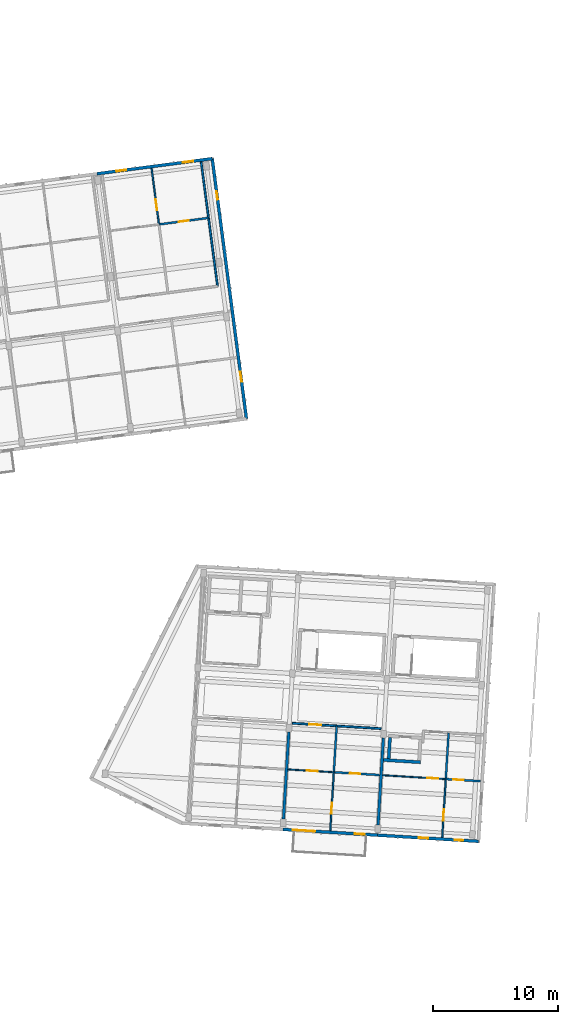
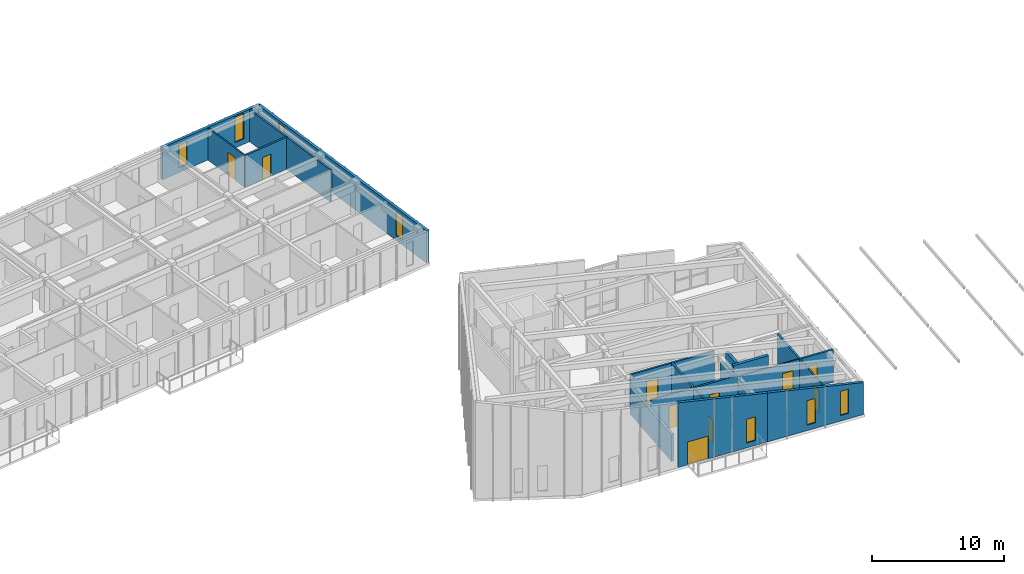
# One storey, part 22 of 45: 20 walls, 10 doors, 7 windows, 17 openings.
"""IFC4 building model written with IfcOpenShell, lengths in metres."""

from ifc_helpers import new_model, si_unit, direction, frame, frame_2d, origin, place, context, subcontext, project, spatial, polyline, rectangle, outline, extrude, material, layer, layer_set, type_object, element, fill, save


model = new_model("IFC4")

# Units and contexts
model_context = context("Model", 3, precision=1e-05, world=origin(), true_north=direction((0.0, 1.0)))
body_context = subcontext(model_context, "Body", "Model", "MODEL_VIEW")
ifc_project = project(units=[si_unit("LENGTHUNIT", "METRE"), si_unit("AREAUNIT", "SQUARE_METRE"), si_unit("VOLUMEUNIT", "CUBIC_METRE"), si_unit("PLANEANGLEUNIT", "RADIAN"), si_unit("MASSUNIT", "GRAM", prefix="KILO")], contexts=[model_context])

# Site, building, storey
site_placement = place(None, origin())
site = spatial("IfcSite", under=ifc_project, at=site_placement, CompositionType="ELEMENT")
building_placement = place(site_placement, origin())
building = spatial("IfcBuilding", under=site, at=building_placement, Name="Kestramere Prow Commons", CompositionType="ELEMENT")
storey_placement = place(building_placement, frame((0.0, 0.0, 31.14990234375)))
storey = spatial("IfcBuildingStorey", under=building, at=storey_placement, Name="L09", CompositionType="ELEMENT", Elevation=31.14990234375)

# Wall, openings, windows
ifc_material_1 = material(Name="Fluoropolymer Standing-Seam Zinc-Aluminium Cladding", Category="aluminium")
ifc_layer_1 = layer(ifc_material_1, 0.239990234375)
ifc_layer_set_1 = layer_set([ifc_layer_1], Name="Fluoropolymer Standing-Seam Zinc-Aluminium Cladding")
wall_type_1 = type_object("IfcWallType", Name="EW-SEAM-240", PredefinedType="SOLIDWALL", material=ifc_layer_set_1)
wall_1_placement = place(storey_placement, frame((52.14453125, 98.092529296875, 0.0), z_axis=(0.0, 0.0, 1.0), x_axis=(0.991442885224, 0.130541201693, 0.0)))
wall_1 = element("IfcWall", 1, at=wall_1_placement, inside=storey, type_object=wall_type_1, Name="Block A L09 North Standing-Seam Wall 6", PredefinedType="SOLIDWALL", context=body_context, shape_type="SweptSolid", body=[
    extrude(rectangle(XDim=9.324951171875, YDim=0.239990234375, at=frame_2d((4.66259765625, 0.0))), origin(), (0.0, 0.0, 1.0), 3.0),
])
opening_1_placement = place(wall_1_placement, frame((1.58203125, 0.0, 0.43994140625)))
opening_1 = element("IfcOpeningElement", 2, at=opening_1_placement, cuts=wall_1, Name="Opening WN-11", PredefinedType="OPENING", context=body_context, shape_type="SweptSolid", body=[
    extrude(rectangle(XDim=0.780029296875, YDim=2.199951171875, at=frame_2d((0.39013671875, 1.10009765625))), frame((0.0, 0.135009765625, 0.0), z_axis=(0.0, -1.0, 0.0), x_axis=(1.0, 0.0, 0.0)), (0.0, 0.0, 1.0), 0.27001953125),
])
opening_2_placement = place(wall_1_placement, frame((6.925537109375, 0.0, 0.5)))
opening_2 = element("IfcOpeningElement", 3, at=opening_2_placement, cuts=wall_1, Name="Opening WN-15", PredefinedType="OPENING", context=body_context, shape_type="SweptSolid", body=[
    extrude(rectangle(XDim=0.860107421875, YDim=2.360107421875, at=frame_2d((0.43017578125, 1.18017578125))), frame((0.0, 0.135009765625, 0.0), z_axis=(0.0, -1.0, 0.0), x_axis=(1.0, 0.0, 0.0)), (0.0, 0.0, 1.0), 0.27001953125),
])
ifc_material_2 = material(Name="Low-E Laminated Double Glazing", Category="glass")
window_type_1 = type_object("IfcWindowType", Name="WN-NAR-780A", PartitioningType="SINGLE_PANEL", PredefinedType="WINDOW", material=ifc_material_2)
window_1_placement = place(opening_1_placement, origin())
window_1 = element("IfcWindow", 4, at=window_1_placement, inside=storey, type_object=window_type_1, Name="WN-A-L09-N-5-0", OverallHeight=2.199951171875, OverallWidth=0.780029296875, PartitioningType="SINGLE_PANEL", PredefinedType="WINDOW", context=body_context, shape_type="SweptSolid", body=[
    extrude(rectangle(XDim=0.780029296875, YDim=2.199951171875, at=frame_2d((0.39013671875, 1.10009765625))), frame((0.0, 0.030029296875, 0.0), z_axis=(0.0, -1.0, 0.0), x_axis=(1.0, 0.0, 0.0)), (0.0, 0.0, 1.0), 0.06005859375),
])
fill(opening_1, window_1)
window_type_2 = type_object("IfcWindowType", Name="WN-NAR-860A", PartitioningType="DOUBLE_PANEL_VERTICAL", PredefinedType="WINDOW", material=ifc_material_2)
window_2_placement = place(opening_2_placement, origin())
window_2 = element("IfcWindow", 5, at=window_2_placement, inside=storey, type_object=window_type_2, Name="WN-A-L09-N-5-1", OverallHeight=2.360107421875, OverallWidth=0.860107421875, PartitioningType="SINGLE_PANEL", PredefinedType="WINDOW", context=body_context, shape_type="SweptSolid", body=[
    extrude(rectangle(XDim=0.860107421875, YDim=2.360107421875, at=frame_2d((0.43017578125, 1.18017578125))), frame((0.0, 0.030029296875, 0.0), z_axis=(0.0, -1.0, 0.0), x_axis=(1.0, 0.0, 0.0)), (0.0, 0.0, 1.0), 0.06005859375),
])
fill(opening_2, window_2)

wall_2_placement = place(storey_placement, frame((61.3896484375, 99.309814453125, 0.0), z_axis=(0.0, 0.0, 1.0), x_axis=(0.13052411616, -0.99144513469, 0.0)))
wall_2 = element("IfcWall", 6, at=wall_2_placement, inside=storey, type_object=wall_type_1, Name="Block A L09 EAV Facet Wall", PredefinedType="SOLIDWALL", context=body_context, shape_type="SweptSolid", body=[
    extrude(rectangle(XDim=21.05029296875, YDim=0.239990234375, at=frame_2d((10.525146484375, 0.0))), origin(), (0.0, 0.0, 1.0), 3.0),
])
opening_3_placement = place(wall_2_placement, frame((2.6298828125, 0.0, 0.52001953125)))
opening_3 = element("IfcOpeningElement", 7, at=opening_3_placement, cuts=wall_2, Name="Opening WN-06", PredefinedType="OPENING", context=body_context, shape_type="SweptSolid", body=[
    extrude(rectangle(XDim=0.679931640625, YDim=2.239990234375, at=frame_2d((0.33984375, 1.1201171875))), frame((0.0, 0.135009765625, 0.0), z_axis=(0.0, -1.0, 0.0), x_axis=(1.0, 0.0, 0.0)), (0.0, 0.0, 1.0), 0.27001953125),
])
opening_4_placement = place(wall_2_placement, frame((17.239990234375, 0.0, 0.449951171875)))
opening_4 = element("IfcOpeningElement", 8, at=opening_4_placement, cuts=wall_2, Name="Opening WN-13", PredefinedType="OPENING", context=body_context, shape_type="SweptSolid", body=[
    extrude(rectangle(XDim=0.820068359375, YDim=2.179931640625, at=frame_2d((0.41015625, 1.08984375))), frame((0.0, 0.135009765625, 0.0), z_axis=(0.0, -1.0, 0.0), x_axis=(1.0, 0.0, 0.0)), (0.0, 0.0, 1.0), 0.27001953125),
])
window_type_3 = type_object("IfcWindowType", Name="WN-NAR-680A", PartitioningType="SINGLE_PANEL", PredefinedType="WINDOW", material=ifc_material_2)
window_3_placement = place(opening_3_placement, origin())
window_3 = element("IfcWindow", 9, at=window_3_placement, inside=storey, type_object=window_type_3, Name="WN-A-L09-EAV-0", OverallHeight=2.239990234375, OverallWidth=0.679931640625, PartitioningType="SINGLE_PANEL", PredefinedType="WINDOW", context=body_context, shape_type="SweptSolid", body=[
    extrude(rectangle(XDim=0.679931640625, YDim=2.239990234375, at=frame_2d((0.33984375, 1.1201171875))), frame((0.0, 0.030029296875, 0.0), z_axis=(0.0, -1.0, 0.0), x_axis=(1.0, 0.0, 0.0)), (0.0, 0.0, 1.0), 0.06005859375),
])
fill(opening_3, window_3)
window_type_4 = type_object("IfcWindowType", Name="WN-NAR-820A", PartitioningType="DOUBLE_PANEL_VERTICAL", PredefinedType="WINDOW", material=ifc_material_2)
window_4_placement = place(opening_4_placement, origin())
window_4 = element("IfcWindow", 10, at=window_4_placement, inside=storey, type_object=window_type_4, Name="WN-A-L09-EAV-1", OverallHeight=2.179931640625, OverallWidth=0.820068359375, PartitioningType="SINGLE_PANEL", PredefinedType="WINDOW", context=body_context, shape_type="SweptSolid", body=[
    extrude(rectangle(XDim=0.820068359375, YDim=2.179931640625, at=frame_2d((0.41015625, 1.08984375))), frame((0.0, 0.030029296875, 0.0), z_axis=(0.0, -1.0, 0.0), x_axis=(1.0, 0.0, 0.0)), (0.0, 0.0, 1.0), 0.06005859375),
])
fill(opening_4, window_4)

# Wall, openings, door, window
wall_3_placement = place(storey_placement, frame((74.6396484375, 45.048095703125, 0.0), z_axis=(0.0, 0.0, 1.0), x_axis=(-0.998135669243, 0.061034300063, 0.0)))
wall_3 = element("IfcWall", 11, at=wall_3_placement, inside=storey, type_object=wall_type_1, Name="Block C L09 South Standing-Seam Wall 2", PredefinedType="SOLIDWALL", context=body_context, shape_type="SweptSolid", body=[
    extrude(outline(polyline([(0.0, 0.0), (7.60009765625, 0.0), (7.60009765625, 5.997802734375), (0.0, 4.535400390625), (0.0, 0.0)])), frame((0.0, 0.1201171875, 0.0), z_axis=(0.0, -1.0, 0.0), x_axis=(1.0, 0.0, 0.0)), (0.0, 0.0, 1.0), 0.239990234375),
])
opening_5_placement = place(wall_3_placement, frame((5.01904296875, 0.0, 0.0)))
opening_5 = element("IfcOpeningElement", 12, at=opening_5_placement, cuts=wall_3, Name="Opening GD-BAL-02", PredefinedType="OPENING", context=body_context, shape_type="SweptSolid", body=[
    extrude(rectangle(XDim=1.800048828125, YDim=2.1201171875, at=frame_2d((0.89990234375, 1.06005859375))), frame((0.0, 0.135009765625, 0.0), z_axis=(0.0, -1.0, 0.0), x_axis=(1.0, 0.0, 0.0)), (0.0, 0.0, 1.0), 0.27001953125),
])
opening_6_placement = place(wall_3_placement, frame((1.030029296875, 0.0, 0.4599609375)))
opening_6 = element("IfcOpeningElement", 13, at=opening_6_placement, cuts=wall_3, Name="Opening WN-11", PredefinedType="OPENING", context=body_context, shape_type="SweptSolid", body=[
    extrude(rectangle(XDim=0.780029296875, YDim=2.199951171875, at=frame_2d((0.39013671875, 1.10009765625))), frame((0.0, 0.135009765625, 0.0), z_axis=(0.0, -1.0, 0.0), x_axis=(1.0, 0.0, 0.0)), (0.0, 0.0, 1.0), 0.27001953125),
])
ifc_material_3 = material(Name="Thermally-Broken Anodised Aluminium Glazed", Category="aluminium")
door_type_1 = type_object("IfcDoorType", Name="GD-BAL-1800", OperationType="SLIDING_TO_LEFT", PredefinedType="DOOR", material=ifc_material_3)
door_1_placement = place(opening_5_placement, origin())
door_1 = element("IfcDoor", 14, at=door_1_placement, inside=storey, type_object=door_type_1, Name="Block C L09 Balcony Door 2", OperationType="SLIDING_TO_LEFT", OverallHeight=2.1201171875, OverallWidth=1.800048828125, PredefinedType="DOOR", context=body_context, shape_type="SweptSolid", body=[
    extrude(rectangle(XDim=1.800048828125, YDim=2.1201171875, at=frame_2d((0.89990234375, 1.06005859375))), frame((0.0, 0.02490234375, 0.0), z_axis=(0.0, -1.0, 0.0), x_axis=(1.0, 0.0, 0.0)), (0.0, 0.0, 1.0), 0.050048828125),
])
fill(opening_5, door_1)
window_5_placement = place(opening_6_placement, origin())
window_5 = element("IfcWindow", 15, at=window_5_placement, inside=storey, type_object=window_type_1, Name="WN-C-L09-SR-1", OverallHeight=2.199951171875, OverallWidth=0.780029296875, PartitioningType="SINGLE_PANEL", PredefinedType="WINDOW", context=body_context, shape_type="SweptSolid", body=[
    extrude(rectangle(XDim=0.780029296875, YDim=2.199951171875, at=frame_2d((0.39013671875, 1.10009765625))), frame((0.0, 0.030029296875, 0.0), z_axis=(0.0, -1.0, 0.0), x_axis=(1.0, 0.0, 0.0)), (0.0, 0.0, 1.0), 0.06005859375),
])
fill(opening_6, window_5)

# Wall, openings, windows
wall_4_placement = place(storey_placement, frame((82.74951171875, 44.552001953125, 0.0), z_axis=(0.0, 0.0, 1.0), x_axis=(-0.998134248939, 0.061057522844, 0.0)))
wall_4 = element("IfcWall", 16, at=wall_4_placement, inside=storey, type_object=wall_type_1, Name="Block C L09 South Standing-Seam Wall 3", PredefinedType="SOLIDWALL", context=body_context, shape_type="SweptSolid", body=[
    extrude(outline(polyline([(0.0, 0.0), (8.125, 0.0), (8.125, 4.535400390625), (0.0, 2.97216796875), (0.0, 0.0)])), frame((0.0, 0.1201171875, 0.0), z_axis=(0.0, -1.0, 0.0), x_axis=(1.0, 0.0, 0.0)), (0.0, 0.0, 1.0), 0.239990234375),
])
opening_7_placement = place(wall_4_placement, frame((1.25146484375, 0.0, 0.52001953125)))
opening_7 = element("IfcOpeningElement", 17, at=opening_7_placement, cuts=wall_4, Name="Opening WN-06", PredefinedType="OPENING", context=body_context, shape_type="SweptSolid", body=[
    extrude(rectangle(XDim=0.679931640625, YDim=2.239990234375, at=frame_2d((0.33984375, 1.1201171875))), frame((0.0, 0.135009765625, 0.0), z_axis=(0.0, -1.0, 0.0), x_axis=(1.0, 0.0, 0.0)), (0.0, 0.0, 1.0), 0.27001953125),
])
opening_8_placement = place(wall_4_placement, frame((4.055908203125, 0.0, 0.52001953125)))
opening_8 = element("IfcOpeningElement", 18, at=opening_8_placement, cuts=wall_4, Name="Opening WN-09", PredefinedType="OPENING", context=body_context, shape_type="SweptSolid", body=[
    extrude(rectangle(XDim=0.739990234375, YDim=2.260009765625, at=frame_2d((0.3701171875, 1.1298828125))), frame((0.0, 0.135009765625, 0.0), z_axis=(0.0, -1.0, 0.0), x_axis=(1.0, 0.0, 0.0)), (0.0, 0.0, 1.0), 0.27001953125),
])
window_6_placement = place(opening_7_placement, origin())
window_6 = element("IfcWindow", 19, at=window_6_placement, inside=storey, type_object=window_type_3, Name="WN-C-L09-S-2-00", OverallHeight=2.239990234375, OverallWidth=0.679931640625, PartitioningType="SINGLE_PANEL", PredefinedType="WINDOW", context=body_context, shape_type="SweptSolid", body=[
    extrude(rectangle(XDim=0.679931640625, YDim=2.239990234375, at=frame_2d((0.33984375, 1.1201171875))), frame((0.0, 0.030029296875, 0.0), z_axis=(0.0, -1.0, 0.0), x_axis=(1.0, 0.0, 0.0)), (0.0, 0.0, 1.0), 0.06005859375),
])
fill(opening_7, window_6)
window_type_5 = type_object("IfcWindowType", Name="WN-NAR-740A", PartitioningType="SINGLE_PANEL", PredefinedType="WINDOW", material=ifc_material_2)
window_7_placement = place(opening_8_placement, origin())
window_7 = element("IfcWindow", 20, at=window_7_placement, inside=storey, type_object=window_type_5, Name="WN-C-L09-S-2-10", OverallHeight=2.260009765625, OverallWidth=0.739990234375, PartitioningType="SINGLE_PANEL", PredefinedType="WINDOW", context=body_context, shape_type="SweptSolid", body=[
    extrude(rectangle(XDim=0.739990234375, YDim=2.260009765625, at=frame_2d((0.3701171875, 1.1298828125))), frame((0.0, 0.030029296875, 0.0), z_axis=(0.0, -1.0, 0.0), x_axis=(1.0, 0.0, 0.0)), (0.0, 0.0, 1.0), 0.06005859375),
])
fill(opening_8, window_7)

# Wall, opening, door
ifc_material_4 = material(Name="Fire-Rated Calcium Silicate Wall")
ifc_layer_2 = layer(ifc_material_4, 0.155029296875)
ifc_layer_set_2 = layer_set([ifc_layer_2], Name="Fire-Rated Calcium Silicate Wall")
wall_type_2 = type_object("IfcWallType", Name="W-FIRE-150", PredefinedType="PARTITIONING", material=ifc_layer_set_2)
wall_5_placement = place(storey_placement, frame((67.81005859375, 54.026611328125, 0.0), z_axis=(0.0, 0.0, 1.0), x_axis=(0.998136655722, -0.061018165369, 0.0)))
wall_5 = element("IfcWall", 21, at=wall_5_placement, inside=storey, type_object=wall_type_2, Name="Interior Partition PW-C-L09-CS-1", PredefinedType="PARTITIONING", context=body_context, shape_type="SweptSolid", body=[
    extrude(rectangle(XDim=7.1298828125, YDim=0.155029296875, at=frame_2d((3.56494140625, 0.0))), origin(), (0.0, 0.0, 1.0), 3.150146484375),
])
opening_9_placement = place(wall_5_placement, frame((1.35498046875, 0.0, 0.0)))
opening_9 = element("IfcOpeningElement", 22, at=opening_9_placement, cuts=wall_5, Name="Opening ID-04", PredefinedType="OPENING", context=body_context, shape_type="SweptSolid", body=[
    extrude(rectangle(XDim=0.97998046875, YDim=2.14990234375, at=frame_2d((0.489990234375, 1.074951171875))), frame((0.0, 0.092529296875, 0.0), z_axis=(0.0, -1.0, 0.0), x_axis=(1.0, 0.0, 0.0)), (0.0, 0.0, 1.0), 0.18505859375),
])
ifc_material_5 = material(Name="Hardwood Fire-Rated Flat Entrance Door", Category="wood")
door_type_2 = type_object("IfcDoorType", Name="FD-ENT-01", OperationType="NOTDEFINED", PredefinedType="DOOR", material=ifc_material_5)
door_2_placement = place(opening_9_placement, origin())
door_2 = element("IfcDoor", 23, at=door_2_placement, inside=storey, type_object=door_type_2, Name="Interior Door DR-C-L09-ENT-S1", OperationType="SINGLE_SWING_LEFT", OverallHeight=2.14990234375, OverallWidth=0.97998046875, PredefinedType="DOOR", context=body_context, shape_type="SweptSolid", body=[
    extrude(rectangle(XDim=0.97998046875, YDim=2.14990234375, at=frame_2d((0.489990234375, 1.074951171875))), frame((0.0, 0.02490234375, 0.0), z_axis=(0.0, -1.0, 0.0), x_axis=(1.0, 0.0, 0.0)), (0.0, 0.0, 1.0), 0.050048828125),
])
fill(opening_9, door_2)

# Walls
ifc_material_6 = material(Name="Concrete C40/50", Category="concrete")
ifc_layer_3 = layer(ifc_material_6, 0.25)
ifc_layer_set_3 = layer_set([ifc_layer_3], Name="Concrete C40/50")
wall_type_3 = type_object("IfcWallType", Name="W-HS-250", PredefinedType="SHEAR", material=ifc_layer_set_3)
wall_6_placement = place(storey_placement, frame((75.11865234375, 51.080078125, 0.0), z_axis=(0.0, 0.0, 1.0), x_axis=(0.998133370443, -0.061071882298, 0.0)))
element("IfcWall", 24, at=wall_6_placement, inside=storey, type_object=wall_type_3, Name="Block C L09 Household Shelter South Wall", PredefinedType="SHEAR", context=body_context, shape_type="SweptSolid", body=[
    extrude(rectangle(XDim=2.990234375, YDim=0.25, at=frame_2d((1.4951171875, 0.0))), origin(), (0.0, 0.0, 1.0), 3.25),
])
wall_7_placement = place(storey_placement, frame((75.54052734375, 51.179443359375, 0.0), z_axis=(0.0, 0.0, 1.0), x_axis=(0.061037062968, 0.998135500293, 0.0)))
element("IfcWall", 25, at=wall_7_placement, inside=storey, type_object=wall_type_3, Name="Block C L09 Household Shelter W Wall", PredefinedType="SHEAR", context=body_context, shape_type="SweptSolid", body=[
    extrude(rectangle(XDim=1.699951171875, YDim=0.25, at=frame_2d((0.85009765625, 0.0))), origin(), (0.0, 0.0, 1.0), 3.25),
])

# Wall, opening, door
ifc_material_7 = material(Name="Gypsum Acoustic Drywall")
ifc_layer_4 = layer(ifc_material_7, 0.10009765625)
ifc_layer_set_4 = layer_set([ifc_layer_4], Name="Gypsum Acoustic Drywall")
wall_type_4 = type_object("IfcWallType", Name="W-PART-100", PredefinedType="PARTITIONING", material=ifc_layer_set_4)
wall_8_placement = place(storey_placement, frame((67.463134765625, 50.321044921875, 0.0), z_axis=(0.0, 0.0, 1.0), x_axis=(0.998132682596, -0.061083123148, 0.0)))
wall_8 = element("IfcWall", 26, at=wall_8_placement, inside=storey, type_object=wall_type_4, Name="Interior Partition PW-C-L09-MIDS1-1", PredefinedType="PARTITIONING", context=body_context, shape_type="SweptSolid", body=[
    extrude(rectangle(XDim=3.68505859375, YDim=0.10009765625, at=frame_2d((1.842529296875, 0.0))), origin(), (0.0, 0.0, 1.0), 3.150146484375),
])
opening_10_placement = place(wall_8_placement, frame((1.52490234375, 0.0, 0.0)))
opening_10 = element("IfcOpeningElement", 27, at=opening_10_placement, cuts=wall_8, Name="Opening ID-10", PredefinedType="OPENING", context=body_context, shape_type="SweptSolid", body=[
    extrude(rectangle(XDim=0.8798828125, YDim=2.10009765625, at=frame_2d((0.43994140625, 1.050048828125))), frame((0.0, 0.06494140625, 0.0), z_axis=(0.0, -1.0, 0.0), x_axis=(1.0, 0.0, 0.0)), (0.0, 0.0, 1.0), 0.130126953125),
])
ifc_material_8 = material(Name="Engineered Timber Bedroom Door", Category="wood")
door_type_3 = type_object("IfcDoorType", Name="D-RM-03", OperationType="NOTDEFINED", PredefinedType="DOOR", material=ifc_material_8)
door_3_placement = place(opening_10_placement, origin())
door_3 = element("IfcDoor", 28, at=door_3_placement, inside=storey, type_object=door_type_3, Name="Interior Door DR-C-L09-KL-S1", OperationType="SINGLE_SWING_RIGHT", OverallHeight=2.10009765625, OverallWidth=0.8798828125, PredefinedType="DOOR", context=body_context, shape_type="SweptSolid", body=[
    extrude(rectangle(XDim=0.8798828125, YDim=2.10009765625, at=frame_2d((0.43994140625, 1.050048828125))), frame((0.0, 0.02490234375, 0.0), z_axis=(0.0, -1.0, 0.0), x_axis=(1.0, 0.0, 0.0)), (0.0, 0.0, 1.0), 0.050048828125),
])
fill(opening_10, door_3)

wall_9_placement = place(storey_placement, frame((75.048828125, 49.85693359375, 0.0), z_axis=(0.0, 0.0, 1.0), x_axis=(0.998135637207, -0.061034823981, 0.0)))
wall_9 = element("IfcWall", 29, at=wall_9_placement, inside=storey, type_object=wall_type_4, Name="Interior Partition PW-C-L09-MIDS1-2", PredefinedType="PARTITIONING", context=body_context, shape_type="SweptSolid", body=[
    extrude(rectangle(XDim=5.080078125, YDim=0.10009765625, at=frame_2d((2.5400390625, 0.0))), origin(), (0.0, 0.0, 1.0), 3.01806640625),
])
opening_11_placement = place(wall_9_placement, frame((3.594970703125, 0.0, 0.0)))
opening_11 = element("IfcOpeningElement", 30, at=opening_11_placement, cuts=wall_9, Name="Opening ID-10", PredefinedType="OPENING", context=body_context, shape_type="SweptSolid", body=[
    extrude(rectangle(XDim=0.8798828125, YDim=2.10009765625, at=frame_2d((0.43994140625, 1.050048828125))), frame((0.0, 0.06494140625, 0.0), z_axis=(0.0, -1.0, 0.0), x_axis=(1.0, 0.0, 0.0)), (0.0, 0.0, 1.0), 0.130126953125),
])
door_4_placement = place(opening_11_placement, origin())
door_4 = element("IfcDoor", 31, at=door_4_placement, inside=storey, type_object=door_type_3, Name="Interior Door DR-C-L09-KL-S2", OperationType="SINGLE_SWING_RIGHT", OverallHeight=2.10009765625, OverallWidth=0.8798828125, PredefinedType="DOOR", context=body_context, shape_type="SweptSolid", body=[
    extrude(rectangle(XDim=0.8798828125, YDim=2.10009765625, at=frame_2d((0.43994140625, 1.050048828125))), frame((0.0, 0.02490234375, 0.0), z_axis=(0.0, -1.0, 0.0), x_axis=(1.0, 0.0, 0.0)), (0.0, 0.0, 1.0), 0.050048828125),
])
fill(opening_11, door_4)

ifc_material_9 = material(Name="Lightweight Blockwork and Plaster", Category="masonry")
ifc_layer_5 = layer(ifc_material_9, 0.1201171875)
ifc_layer_set_5 = layer_set([ifc_layer_5], Name="Lightweight Blockwork and Plaster")
wall_type_5 = type_object("IfcWallType", Name="W-PART-120", PredefinedType="PARTITIONING", material=ifc_layer_set_5)
wall_10_placement = place(storey_placement, frame((57.1171875, 94.031982421875, 0.0), z_axis=(0.0, 0.0, 1.0), x_axis=(-0.130571364795, 0.991438913245, 0.0)))
wall_10 = element("IfcWall", 32, at=wall_10_placement, inside=storey, type_object=wall_type_5, Name="Interior Partition PW-A-L09-LB-N5", PredefinedType="PARTITIONING", context=body_context, shape_type="SweptSolid", body=[
    extrude(rectangle(XDim=4.539794921875, YDim=0.1201171875, at=frame_2d((2.27001953125, 0.0))), origin(), (0.0, 0.0, 1.0), 2.97021484375),
])
opening_12_placement = place(wall_10_placement, frame((1.14990234375, 0.0, 0.0)))
opening_12 = element("IfcOpeningElement", 33, at=opening_12_placement, cuts=wall_10, Name="Opening ID-08", PredefinedType="OPENING", context=body_context, shape_type="SweptSolid", body=[
    extrude(rectangle(XDim=0.89990234375, YDim=2.10009765625, at=frame_2d((0.449951171875, 1.050048828125))), frame((0.0, 0.074951171875, 0.0), z_axis=(0.0, -1.0, 0.0), x_axis=(1.0, 0.0, 0.0)), (0.0, 0.0, 1.0), 0.150146484375),
])
ifc_material_10 = material(Name="Engineered Timber Flush Door", Category="wood")
door_type_4 = type_object("IfcDoorType", Name="D-RM-01", OperationType="NOTDEFINED", PredefinedType="DOOR", material=ifc_material_10)
door_5_placement = place(opening_12_placement, origin())
door_5 = element("IfcDoor", 34, at=door_5_placement, inside=storey, type_object=door_type_4, Name="Interior Door DR-A-L09-BED-N5", OperationType="SINGLE_SWING_LEFT", OverallHeight=2.10009765625, OverallWidth=0.89990234375, PredefinedType="DOOR", context=body_context, shape_type="SweptSolid", body=[
    extrude(rectangle(XDim=0.89990234375, YDim=2.10009765625, at=frame_2d((0.449951171875, 1.050048828125))), frame((0.0, 0.02490234375, 0.0), z_axis=(0.0, -1.0, 0.0), x_axis=(1.0, 0.0, 0.0)), (0.0, 0.0, 1.0), 0.050048828125),
])
fill(opening_12, door_5)

wall_11_placement = place(storey_placement, frame((70.85498046875, 45.414794921875, 0.0), z_axis=(0.0, 0.0, 1.0), x_axis=(0.061062434628, 0.998133948465, 0.0)))
wall_11 = element("IfcWall", 35, at=wall_11_placement, inside=storey, type_object=wall_type_5, Name="Interior Partition PW-C-L09-LB-S1", PredefinedType="PARTITIONING", context=body_context, shape_type="SweptSolid", body=[
    extrude(rectangle(XDim=4.68994140625, YDim=0.1201171875, at=frame_2d((2.344970703125, 0.0))), origin(), (0.0, 0.0, 1.0), 3.150146484375),
])
opening_13_placement = place(wall_11_placement, frame((1.35009765625, 0.0, 0.0)))
opening_13 = element("IfcOpeningElement", 36, at=opening_13_placement, cuts=wall_11, Name="Opening ID-08", PredefinedType="OPENING", context=body_context, shape_type="SweptSolid", body=[
    extrude(rectangle(XDim=0.89990234375, YDim=2.10009765625, at=frame_2d((0.449951171875, 1.050048828125))), frame((0.0, 0.074951171875, 0.0), z_axis=(0.0, -1.0, 0.0), x_axis=(1.0, 0.0, 0.0)), (0.0, 0.0, 1.0), 0.150146484375),
])
door_6_placement = place(opening_13_placement, origin())
door_6 = element("IfcDoor", 37, at=door_6_placement, inside=storey, type_object=door_type_4, Name="Interior Door DR-C-L09-BED-S1", OperationType="SINGLE_SWING_RIGHT", OverallHeight=2.10009765625, OverallWidth=0.89990234375, PredefinedType="DOOR", context=body_context, shape_type="SweptSolid", body=[
    extrude(rectangle(XDim=0.89990234375, YDim=2.10009765625, at=frame_2d((0.449951171875, 1.050048828125))), frame((0.0, 0.02490234375, 0.0), z_axis=(0.0, -1.0, 0.0), x_axis=(1.0, 0.0, 0.0)), (0.0, 0.0, 1.0), 0.050048828125),
])
fill(opening_13, door_6)

wall_12_placement = place(storey_placement, frame((79.833251953125, 44.86572265625, 0.0), z_axis=(0.0, 0.0, 1.0), x_axis=(0.061010571843, 0.998137119901, 0.0)))
wall_12 = element("IfcWall", 38, at=wall_12_placement, inside=storey, type_object=wall_type_5, Name="Interior Partition PW-C-L09-LB-S2", PredefinedType="PARTITIONING", context=body_context, shape_type="SweptSolid", body=[
    extrude(rectangle(XDim=4.68994140625, YDim=0.1201171875, at=frame_2d((2.344970703125, 0.0))), origin(), (0.0, 0.0, 1.0), 3.01806640625),
])
opening_14_placement = place(wall_12_placement, frame((1.35009765625, 0.0, 0.0)))
opening_14 = element("IfcOpeningElement", 39, at=opening_14_placement, cuts=wall_12, Name="Opening ID-08", PredefinedType="OPENING", context=body_context, shape_type="SweptSolid", body=[
    extrude(rectangle(XDim=0.89990234375, YDim=2.10009765625, at=frame_2d((0.449951171875, 1.050048828125))), frame((0.0, 0.074951171875, 0.0), z_axis=(0.0, -1.0, 0.0), x_axis=(1.0, 0.0, 0.0)), (0.0, 0.0, 1.0), 0.150146484375),
])
door_7_placement = place(opening_14_placement, origin())
door_7 = element("IfcDoor", 40, at=door_7_placement, inside=storey, type_object=door_type_4, Name="Interior Door DR-C-L09-BED-S2", OperationType="SINGLE_SWING_LEFT", OverallHeight=2.10009765625, OverallWidth=0.89990234375, PredefinedType="DOOR", context=body_context, shape_type="SweptSolid", body=[
    extrude(rectangle(XDim=0.89990234375, YDim=2.10009765625, at=frame_2d((0.449951171875, 1.050048828125))), frame((0.0, 0.02490234375, 0.0), z_axis=(0.0, -1.0, 0.0), x_axis=(1.0, 0.0, 0.0)), (0.0, 0.0, 1.0), 0.050048828125),
])
fill(opening_14, door_7)

# Wall
ifc_material_11 = material(Name="Masonry Compartment Wall", Category="masonry")
ifc_layer_6 = layer(ifc_material_11, 0.14990234375)
ifc_layer_set_6 = layer_set([ifc_layer_6], Name="Masonry Compartment Wall")
wall_type_6 = type_object("IfcWallType", Name="W-PART-150", PredefinedType="PARTITIONING", material=ifc_layer_set_6)
wall_13_placement = place(storey_placement, frame((61.814697265625, 89.072509765625, 0.0), z_axis=(0.0, 0.0, 1.0), x_axis=(-0.130531024319, 0.991444225204, 0.0)))
element("IfcWall", 41, at=wall_13_placement, inside=storey, type_object=wall_type_6, Name="Interior Partition PW-A-L09-NWR-5", PredefinedType="PARTITIONING", context=body_context, shape_type="SweptSolid", body=[
    extrude(rectangle(XDim=10.070068359375, YDim=0.14990234375, at=frame_2d((5.03515625, 0.0))), origin(), (0.0, 0.0, 1.0), 2.97021484375),
])

# Wall, opening, door
ifc_material_12 = material(Name="Waterproof Sanitary Masonry Wall", Category="masonry")
ifc_layer_7 = layer(ifc_material_12, 0.1650390625)
ifc_layer_set_7 = layer_set([ifc_layer_7], Name="Waterproof Sanitary Masonry Wall")
wall_type_7 = type_object("IfcWallType", Name="W-PLUMB-150", PredefinedType="PLUMBINGWALL", material=ifc_layer_set_7)
wall_14_placement = place(storey_placement, frame((57.1171875, 94.031982421875, 0.0), z_axis=(0.0, 0.0, 1.0), x_axis=(0.991451394038, 0.130476562111, 0.0)))
wall_14 = element("IfcWall", 42, at=wall_14_placement, inside=storey, type_object=wall_type_7, Name="Interior Partition PW-A-L09-MIDN2-5", PredefinedType="PLUMBINGWALL", context=body_context, shape_type="SweptSolid", body=[
    extrude(rectangle(XDim=4.009765625, YDim=0.1650390625, at=frame_2d((2.0048828125, 0.0))), origin(), (0.0, 0.0, 1.0), 2.97021484375),
])
opening_15_placement = place(wall_14_placement, frame((1.594970703125, 0.0, 0.0)))
opening_15 = element("IfcOpeningElement", 43, at=opening_15_placement, cuts=wall_14, Name="Opening ID-11", PredefinedType="OPENING", context=body_context, shape_type="SweptSolid", body=[
    extrude(rectangle(XDim=0.820068359375, YDim=2.080078125, at=frame_2d((0.41015625, 1.0400390625))), frame((0.0, 0.097412109375, 0.0), z_axis=(0.0, -1.0, 0.0), x_axis=(1.0, 0.0, 0.0)), (0.0, 0.0, 1.0), 0.195068359375),
])
ifc_material_13 = material(Name="Moisture-Resistant Timber Bathroom Door", Category="wood")
door_type_5 = type_object("IfcDoorType", Name="D-BT-01", OperationType="NOTDEFINED", PredefinedType="DOOR", material=ifc_material_13)
door_8_placement = place(opening_15_placement, origin())
door_8 = element("IfcDoor", 44, at=door_8_placement, inside=storey, type_object=door_type_5, Name="Interior Door DR-A-L09-BTH-N5", OperationType="SINGLE_SWING_RIGHT", OverallHeight=2.080078125, OverallWidth=0.820068359375, PredefinedType="DOOR", context=body_context, shape_type="SweptSolid", body=[
    extrude(rectangle(XDim=0.820068359375, YDim=2.080078125, at=frame_2d((0.41015625, 1.0400390625))), frame((0.0, 0.02490234375, 0.0), z_axis=(0.0, -1.0, 0.0), x_axis=(1.0, 0.0, 0.0)), (0.0, 0.0, 1.0), 0.050048828125),
])
fill(opening_15, door_8)

wall_15_placement = place(storey_placement, frame((71.141357421875, 50.095947265625, 0.0), z_axis=(0.0, 0.0, 1.0), x_axis=(0.998136472989, -0.061021154439, 0.0)))
wall_15 = element("IfcWall", 45, at=wall_15_placement, inside=storey, type_object=wall_type_7, Name="Interior Partition PW-C-L09-MIDS2-1", PredefinedType="PLUMBINGWALL", context=body_context, shape_type="SweptSolid", body=[
    extrude(rectangle(XDim=3.684814453125, YDim=0.1650390625, at=frame_2d((1.84228515625, 0.0))), origin(), (0.0, 0.0, 1.0), 3.150146484375),
])
opening_16_placement = place(wall_15_placement, frame((1.300048828125, 0.0, 0.0)))
opening_16 = element("IfcOpeningElement", 46, at=opening_16_placement, cuts=wall_15, Name="Opening ID-11", PredefinedType="OPENING", context=body_context, shape_type="SweptSolid", body=[
    extrude(rectangle(XDim=0.820068359375, YDim=2.080078125, at=frame_2d((0.41015625, 1.0400390625))), frame((0.0, 0.097412109375, 0.0), z_axis=(0.0, -1.0, 0.0), x_axis=(1.0, 0.0, 0.0)), (0.0, 0.0, 1.0), 0.195068359375),
])
door_9_placement = place(opening_16_placement, origin())
door_9 = element("IfcDoor", 47, at=door_9_placement, inside=storey, type_object=door_type_5, Name="Interior Door DR-C-L09-BTH-S1", OperationType="SINGLE_SWING_LEFT", OverallHeight=2.080078125, OverallWidth=0.820068359375, PredefinedType="DOOR", context=body_context, shape_type="SweptSolid", body=[
    extrude(rectangle(XDim=0.820068359375, YDim=2.080078125, at=frame_2d((0.41015625, 1.0400390625))), frame((0.0, 0.02490234375, 0.0), z_axis=(0.0, -1.0, 0.0), x_axis=(1.0, 0.0, 0.0)), (0.0, 0.0, 1.0), 0.050048828125),
])
fill(opening_16, door_9)

# Wall
wall_16_placement = place(storey_placement, frame((71.141357421875, 50.095947265625, 0.0), z_axis=(0.0, 0.0, 1.0), x_axis=(0.061034005467, 0.998135687257, 0.0)))
element("IfcWall", 48, at=wall_16_placement, inside=storey, type_object=wall_type_7, Name="Interior Partition PW-C-L09-KB-S1", PredefinedType="PLUMBINGWALL", context=body_context, shape_type="SweptSolid", body=[
    extrude(rectangle(XDim=3.719970703125, YDim=0.1650390625, at=frame_2d((1.85986328125, 0.0))), origin(), (0.0, 0.0, 1.0), 3.150146484375),
])

# Wall, opening, door
wall_17_placement = place(storey_placement, frame((80.119384765625, 49.546875, 0.0), z_axis=(0.0, 0.0, 1.0), x_axis=(0.998135805996, -0.061032063609, 0.0)))
wall_17 = element("IfcWall", 49, at=wall_17_placement, inside=storey, type_object=wall_type_7, Name="Interior Partition PW-C-L09-MIDS2-2", PredefinedType="PLUMBINGWALL", context=body_context, shape_type="SweptSolid", body=[
    extrude(rectangle(XDim=2.800048828125, YDim=0.1650390625, at=frame_2d((1.39990234375, 0.0))), origin(), (0.0, 0.0, 1.0), 3.01806640625),
])
opening_17_placement = place(wall_17_placement, frame((0.60302734375, 0.0, 0.0)))
opening_17 = element("IfcOpeningElement", 50, at=opening_17_placement, cuts=wall_17, Name="Opening ID-11", PredefinedType="OPENING", context=body_context, shape_type="SweptSolid", body=[
    extrude(rectangle(XDim=0.820068359375, YDim=2.080078125, at=frame_2d((0.41015625, 1.0400390625))), frame((0.0, 0.097412109375, 0.0), z_axis=(0.0, -1.0, 0.0), x_axis=(1.0, 0.0, 0.0)), (0.0, 0.0, 1.0), 0.195068359375),
])
door_10_placement = place(opening_17_placement, origin())
door_10 = element("IfcDoor", 51, at=door_10_placement, inside=storey, type_object=door_type_5, Name="Interior Door DR-C-L09-BTH-S2", OperationType="SINGLE_SWING_LEFT", OverallHeight=2.080078125, OverallWidth=0.820068359375, PredefinedType="DOOR", context=body_context, shape_type="SweptSolid", body=[
    extrude(rectangle(XDim=0.820068359375, YDim=2.080078125, at=frame_2d((0.41015625, 1.0400390625))), frame((0.0, 0.02490234375, 0.0), z_axis=(0.0, -1.0, 0.0), x_axis=(1.0, 0.0, 0.0)), (0.0, 0.0, 1.0), 0.050048828125),
])
fill(opening_17, door_10)

# Walls
wall_18_placement = place(storey_placement, frame((80.119384765625, 49.546875, 0.0), z_axis=(0.0, 0.0, 1.0), x_axis=(0.061099388563, 0.998131687062, 0.0)))
element("IfcWall", 52, at=wall_18_placement, inside=storey, type_object=wall_type_7, Name="Interior Partition PW-C-L09-KB-S2", PredefinedType="PLUMBINGWALL", context=body_context, shape_type="SweptSolid", body=[
    extrude(rectangle(XDim=3.719970703125, YDim=0.1650390625, at=frame_2d((1.85986328125, 0.0))), origin(), (0.0, 0.0, 1.0), 3.01806640625),
])
ifc_material_14 = material(Name="Precast concrete C40/50", Category="concrete")
ifc_layer_8 = layer(ifc_material_14, 0.219970703125)
ifc_layer_set_8 = layer_set([ifc_layer_8], Name="Precast concrete C40/50")
wall_type_8 = type_object("IfcWallType", Name="W-XWALL-220", PredefinedType="SHEAR", material=ifc_layer_set_8)
wall_19_placement = place(storey_placement, frame((67.104248046875, 46.33544921875, 0.0), z_axis=(0.0, 0.0, 1.0), x_axis=(0.061034188237, 0.998135676081, 0.0)))
element("IfcWall", 53, at=wall_19_placement, inside=storey, type_object=wall_type_8, Name="Block C L09 Precast Cross-Wall 1", PredefinedType="SHEAR", context=body_context, shape_type="SweptSolid", body=[
    extrude(rectangle(XDim=7.0, YDim=0.219970703125, at=frame_2d((3.5, 0.0))), origin(), (0.0, 0.0, 1.0), 2.5),
])
wall_20_placement = place(storey_placement, frame((74.68994140625, 45.87158203125, 0.0), z_axis=(0.0, 0.0, 1.0), x_axis=(0.061036313012, 0.998135546153, 0.0)))
element("IfcWall", 54, at=wall_20_placement, inside=storey, type_object=wall_type_8, Name="Block C L09 Precast Cross-Wall 2", PredefinedType="SHEAR", context=body_context, shape_type="SweptSolid", body=[
    extrude(rectangle(XDim=6.999755859375, YDim=0.219970703125, at=frame_2d((3.5, 0.0))), origin(), (0.0, 0.0, 1.0), 2.5),
])

save(model, "model.ifc")
